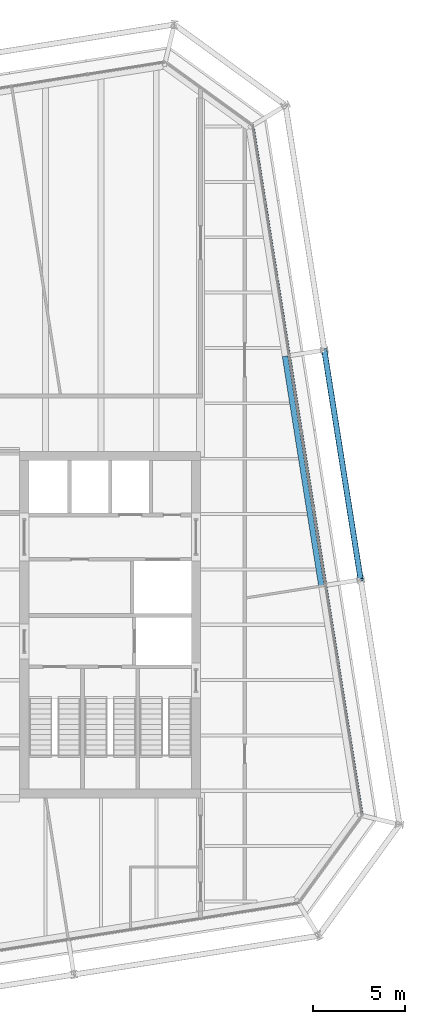
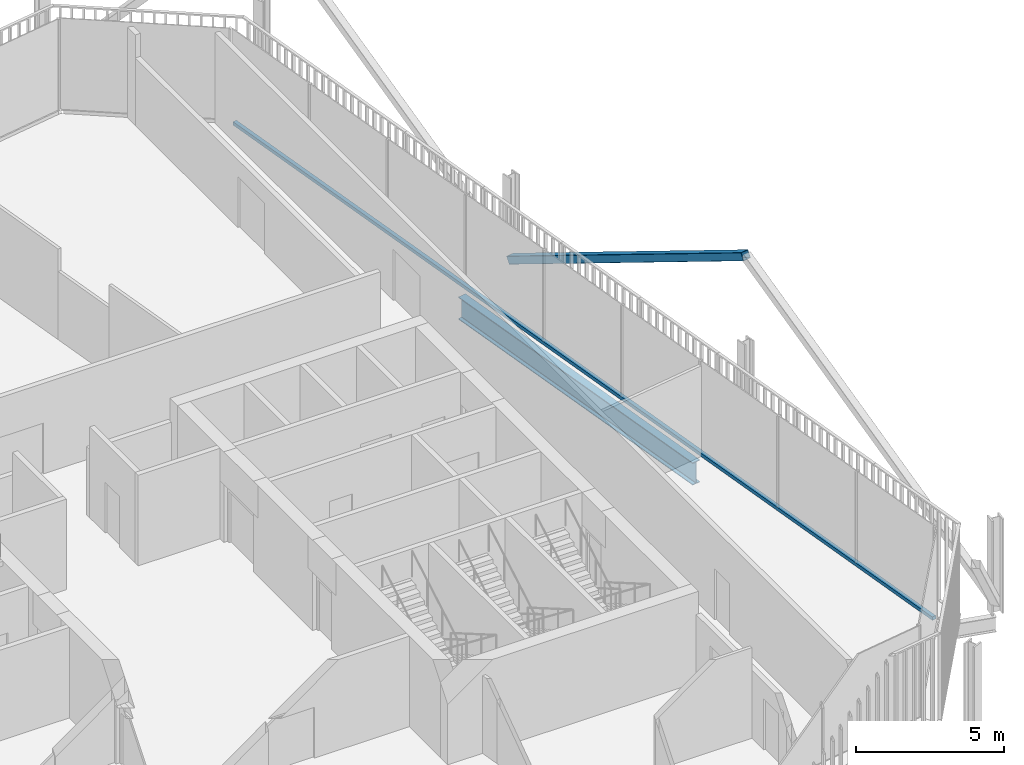
# One storey, part 10 of 21: 2 members, 1 beam, 1 element without a shape of its own.
"""IFC4 building model written with IfcOpenShell, lengths in metres."""

from ifc_helpers import new_model, si_unit, direction, frame, origin, origin_2d, place, context, subcontext, project, spatial, rectangle, hollow_rectangle, i_section, extrude, material, layer, layer_set, material_profile, profile_set, type_object, element, aggregate, save


model = new_model("IFC4")

# Units and contexts
model_context = context("Model", 3, precision=1e-05, world=origin(), true_north=direction((0.0, 1.0)))
body_context = subcontext(model_context, "Body", "Model", "MODEL_VIEW")
ifc_project = project(units=[si_unit("LENGTHUNIT", "METRE"), si_unit("AREAUNIT", "SQUARE_METRE"), si_unit("VOLUMEUNIT", "CUBIC_METRE"), si_unit("PLANEANGLEUNIT", "RADIAN"), si_unit("MASSUNIT", "GRAM", prefix="KILO")], contexts=[model_context])

# Site, building, storey
site_placement = place(None, origin())
site = spatial("IfcSite", under=ifc_project, at=site_placement, CompositionType="ELEMENT")
building_placement = place(site_placement, origin())
building = spatial("IfcBuilding", under=site, at=building_placement, Name="Millrace Tower", CompositionType="ELEMENT")
storey_placement = place(building_placement, frame((0.0, 0.0, 228.10009765625)))
storey = spatial("IfcBuildingStorey", under=building, at=storey_placement, Name="L52", CompositionType="ELEMENT", Elevation=228.10009765625)

# Curtain wall, member
ifc_material_1 = material(Name="Aluminium and glass", Category="aluminium")
ifc_layer = layer(ifc_material_1, 0.14990234375)
ifc_layer_set = layer_set([ifc_layer], Name="Aluminium and glass")
curtain_wall_type = type_object("IfcCurtainWallType", Name="CW-1 office vision curtain wall", PredefinedType="NOTDEFINED", material=ifc_layer_set)
curtain_wall_placement = place(storey_placement, origin())
curtain_wall = element("IfcCurtainWall", 1, at=curtain_wall_placement, inside=storey, type_object=curtain_wall_type, Name="Curtain wall D-F04 L52", PredefinedType="NOTDEFINED")
ifc_material_2 = material(Name="Aluminium", Category="aluminium")
ifc_material_profile_1 = material_profile(ifc_material_2, rectangle(XDim=0.14990234375, YDim=0.139892578125, at=origin_2d()))
ifc_profile_set_1 = profile_set([ifc_material_profile_1], Name="Aluminium")
member_type_1 = type_object("IfcMemberType", Name="CW-1 office vision curtain wall transom", PredefinedType="USERDEFINED", material=ifc_profile_set_1)
member_1_placement = place(storey_placement, frame((23.1318359375, -10.208740234375, 0.06982421875), z_axis=(-0.156432359726, 0.987688674042, 0.0), x_axis=(-0.987688674042, -0.156432359726, 0.0)))
member_1 = element("IfcMember", 2, at=member_1_placement, type_object=member_type_1, Name="CW1 transom D-F04.1", ObjectType="TRANSOM", PredefinedType="USERDEFINED", context=body_context, shape_type="SweptSolid", body=[
    extrude(rectangle(XDim=0.14990234375, YDim=0.139892578125, at=origin_2d()), origin(), (0.0, 0.0, 1.0), 37.599853515625),
])
aggregate(curtain_wall, [member_1])

# Member
ifc_material_3 = material(Name="Steel ASTM A500 Grade C", Category="steel")
ifc_material_profile_2 = material_profile(ifc_material_3, hollow_rectangle(XDim=0.3046875, YDim=0.3046875, WallThickness=0.0126953125, InnerFilletRadius=0.00634765625, OuterFilletRadius=0.01904296875, at=origin_2d()))
ifc_profile_set_2 = profile_set([ifc_material_profile_2], Name="Steel ASTM A500 Grade C")
member_type_2 = type_object("IfcMemberType", Name="Exoskeleton brace HSS12x12x1/2", PredefinedType="BRACE", material=ifc_profile_set_2)
member_2_placement = place(storey_placement, frame((21.106689453125, 14.88330078125, 0.39990234375), z_axis=(0.136740080373, -0.863395126588, 0.485644937998), x_axis=(0.987689802912, 0.156425232058, 0.0)))
element("IfcMember", 3, at=member_2_placement, inside=storey, type_object=member_type_2, Name="BRC-D-L52-07", PredefinedType="BRACE", context=body_context, shape_type="SweptSolid", body=[
    extrude(hollow_rectangle(XDim=0.3046875, YDim=0.3046875, WallThickness=0.0126953125, InnerFilletRadius=0.00634765625, OuterFilletRadius=0.01904296875, at=origin_2d()), origin(), (0.0, 0.0, 1.0), 14.413818359375),
])

# Beam
ifc_material_4 = material(Name="Steel ASTM A992 Grade 50", Category="steel")
ifc_material_profile_3 = material_profile(ifc_material_4, i_section(OverallWidth=0.307373046875, OverallDepth=0.927001953125, WebThickness=0.01953125, FlangeThickness=0.031982421875, FilletRadius=0.01904296875, at=origin_2d()))
ifc_profile_set_3 = profile_set([ifc_material_profile_3], Name="Steel ASTM A992 Grade 50")
beam_type = type_object("IfcBeamType", Name="Ring beam medium span W36x194", PredefinedType="SPANDREL", material=ifc_profile_set_3)
beam_placement = place(storey_placement, frame((18.9794921875, 14.54638671875, -0.62353515625), z_axis=(0.1564441342, -0.987686809102, 0.0), x_axis=(0.987686809102, 0.1564441342, 0.0)))
element("IfcBeam", 4, at=beam_placement, inside=storey, type_object=beam_type, Name="RNG-D-L52-S1-10", PredefinedType="SPANDREL", context=body_context, shape_type="SweptSolid", body=[
    extrude(i_section(OverallWidth=0.307373046875, OverallDepth=0.927001953125, WebThickness=0.01953125, FlangeThickness=0.031982421875, FilletRadius=0.01904296875, at=origin_2d()), origin(), (0.0, 0.0, 1.0), 12.599853515625),
])

save(model, "model.ifc")
